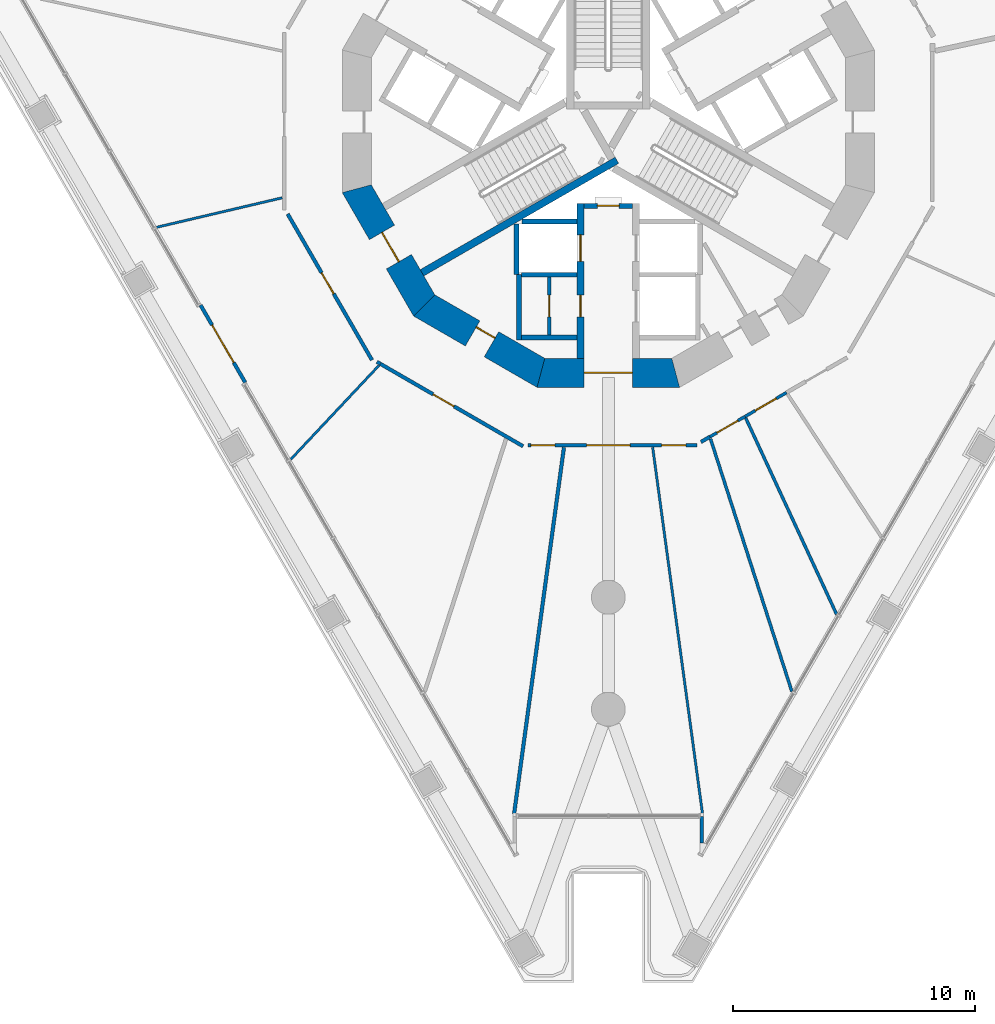
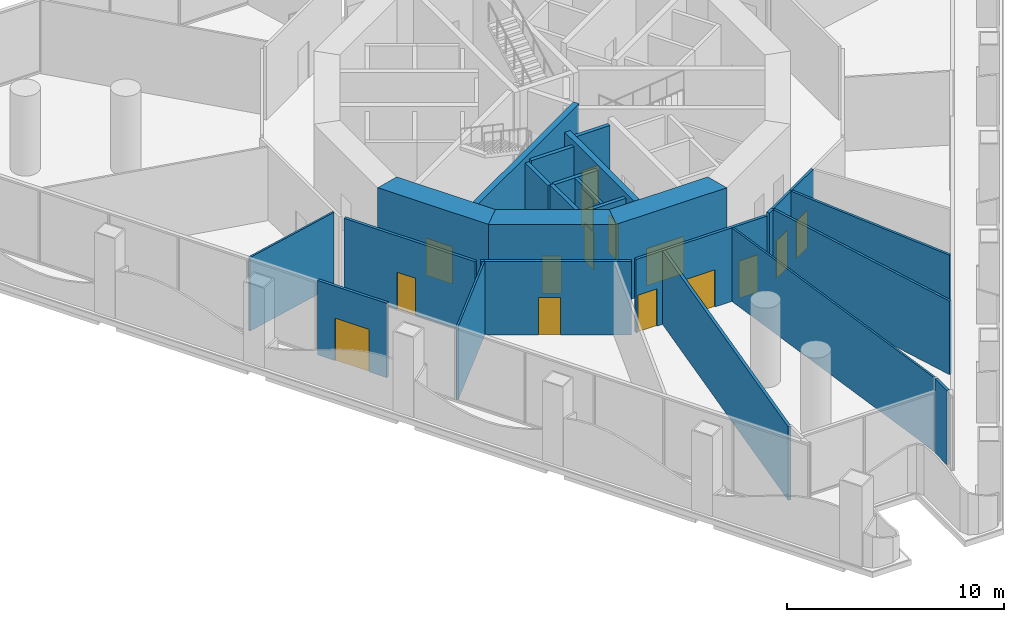
# One storey, part 10 of 21: 27 walls, 15 doors, 15 openings.
"""IFC4 building model written with IfcOpenShell, lengths in metres."""

from ifc_helpers import new_model, si_unit, direction, frame, frame_2d, origin, place, context, subcontext, project, spatial, polyline, rectangle, outline, extrude, material, layer, layer_set, type_object, element, fill, save


model = new_model("IFC4")

# Units and contexts
model_context = context("Model", 3, precision=1e-05, world=origin(), true_north=direction((0.0, 1.0)))
body_context = subcontext(model_context, "Body", "Model", "MODEL_VIEW")
ifc_project = project(units=[si_unit("LENGTHUNIT", "METRE"), si_unit("AREAUNIT", "SQUARE_METRE"), si_unit("VOLUMEUNIT", "CUBIC_METRE"), si_unit("PLANEANGLEUNIT", "RADIAN"), si_unit("MASSUNIT", "GRAM", prefix="KILO")], contexts=[model_context])

# Site, building, storey
site_placement = place(None, origin())
site = spatial("IfcSite", under=ifc_project, at=site_placement, CompositionType="ELEMENT")
building_placement = place(site_placement, origin())
building = spatial("IfcBuilding", under=site, at=building_placement, Name="Trine Commons Tower", CompositionType="ELEMENT")
storey_placement = place(building_placement, frame((0.0, 0.0, 27.0)))
storey = spatial("IfcBuildingStorey", under=building, at=storey_placement, Name="L05", CompositionType="ELEMENT", Elevation=27.0)

# Wall, opening, door
ifc_material_1 = material(Name="Plasterboard on steel stud", Category="steel")
ifc_layer_1 = layer(ifc_material_1, 0.14990234375)
ifc_layer_set_1 = layer_set([ifc_layer_1], Name="Plasterboard on steel stud")
wall_type_1 = type_object("IfcWallType", Name="Compartment wall 150 mm, EI 60", PredefinedType="PARTITIONING", material=ifc_layer_set_1)
wall_1_placement = place(storey_placement, frame((70.219482421875, 52.6171875, 0.0), z_axis=(0.0, 0.0, 1.0), x_axis=(-0.49997871953, 0.866037689721, 0.0)))
wall_1 = element("IfcWall", 1, at=wall_1_placement, inside=storey, type_object=wall_type_1, Name="Partition P5005", PredefinedType="PARTITIONING", context=body_context, shape_type="SweptSolid", body=[
    extrude(rectangle(XDim=6.982177734375, YDim=0.14990234375, at=frame_2d((3.4912109375, 0.0))), origin(), (0.0, 0.0, 1.0), 4.14990234375),
])
opening_1_placement = place(wall_1_placement, frame((3.168701171875, 0.0, 0.0)))
opening_1 = element("IfcOpeningElement", 2, at=opening_1_placement, cuts=wall_1, Name="Opening D-P502", PredefinedType="OPENING", context=body_context, shape_type="SweptSolid", body=[
    extrude(rectangle(XDim=1.0, YDim=2.10009765625, at=frame_2d((0.5, 1.050048828125))), frame((0.0, 0.0849609375, 0.0), z_axis=(0.0, -1.0, 0.0), x_axis=(1.0, 0.0, 0.0)), (0.0, 0.0, 1.0), 0.169921875),
])
ifc_material_2 = material(Name="Timber fire door set", Category="wood")
door_type_1 = type_object("IfcDoorType", Name="Single swing door 1000x2100, FD30S", OperationType="SINGLE_SWING_LEFT", PredefinedType="DOOR", material=ifc_material_2)
door_1_placement = place(opening_1_placement, origin())
door_1 = element("IfcDoor", 3, at=door_1_placement, inside=storey, type_object=door_type_1, Name="Door D-P502", OperationType="SINGLE_SWING_LEFT", OverallHeight=2.10009765625, OverallWidth=1.0, PredefinedType="DOOR", context=body_context, shape_type="SweptSolid", body=[
    extrude(rectangle(XDim=1.0, YDim=2.10009765625, at=frame_2d((0.5, 1.050048828125))), frame((0.0, 0.02490234375, 0.0), z_axis=(0.0, -1.0, 0.0), x_axis=(1.0, 0.0, 0.0)), (0.0, 0.0, 1.0), 0.050048828125),
])
fill(opening_1, door_1)

# Wall
wall_2_placement = place(storey_placement, frame((70.424560546875, 52.5419921875, 0.0), z_axis=(0.0, 0.0, 1.0), x_axis=(0.866286070807, -0.499548239438, 0.0)))
element("IfcWall", 4, at=wall_2_placement, inside=storey, type_object=wall_type_1, Name="Partition P5008", PredefinedType="PARTITIONING", context=body_context, shape_type="SweptSolid", body=[
    extrude(rectangle(XDim=0.161865234375, YDim=0.14990234375, at=frame_2d((0.0810546875, 0.0))), origin(), (0.0, 0.0, 1.0), 4.14990234375),
])

# Wall, opening, door
wall_3_placement = place(storey_placement, frame((76.471435546875, 49.051025390625, 0.0), z_axis=(0.0, 0.0, 1.0), x_axis=(-0.866028115054, 0.499995303914, 0.0)))
wall_3 = element("IfcWall", 5, at=wall_3_placement, inside=storey, type_object=wall_type_1, Name="Partition P5010", PredefinedType="PARTITIONING", context=body_context, shape_type="SweptSolid", body=[
    extrude(rectangle(XDim=6.81591796875, YDim=0.14990234375, at=frame_2d((3.407958984375, 0.0))), origin(), (0.0, 0.0, 1.0), 4.14990234375),
])
opening_2_placement = place(wall_3_placement, frame((3.297607421875, 0.0, 0.0)))
opening_2 = element("IfcOpeningElement", 6, at=opening_2_placement, cuts=wall_3, Name="Opening D-P505", PredefinedType="OPENING", context=body_context, shape_type="SweptSolid", body=[
    extrude(rectangle(XDim=1.0, YDim=2.10009765625, at=frame_2d((0.5, 1.050048828125))), frame((0.0, 0.0849609375, 0.0), z_axis=(0.0, -1.0, 0.0), x_axis=(1.0, 0.0, 0.0)), (0.0, 0.0, 1.0), 0.169921875),
])
door_2_placement = place(opening_2_placement, origin())
door_2 = element("IfcDoor", 7, at=door_2_placement, inside=storey, type_object=door_type_1, Name="Door D-P505", OperationType="SINGLE_SWING_LEFT", OverallHeight=2.10009765625, OverallWidth=1.0, PredefinedType="DOOR", context=body_context, shape_type="SweptSolid", body=[
    extrude(rectangle(XDim=1.0, YDim=2.10009765625, at=frame_2d((0.5, 1.050048828125))), frame((0.0, 0.02490234375, 0.0), z_axis=(0.0, -1.0, 0.0), x_axis=(1.0, 0.0, 0.0)), (0.0, 0.0, 1.0), 0.050048828125),
])
fill(opening_2, door_2)

# Wall
wall_4_placement = place(storey_placement, frame((76.10009765625, 33.830810546875, 0.0), z_axis=(0.0, 0.0, 1.0), x_axis=(0.134790888715, 0.990874066832, 0.0)))
element("IfcWall", 8, at=wall_4_placement, inside=storey, type_object=wall_type_1, Name="Partition P5013", PredefinedType="PARTITIONING", context=body_context, shape_type="SweptSolid", body=[
    extrude(rectangle(XDim=15.312255859375, YDim=0.14990234375, at=frame_2d((7.65625, 0.0))), origin(), (0.0, 0.0, 1.0), 4.14990234375),
])

# Wall, openings, doors
wall_5_placement = place(storey_placement, frame((83.668701171875, 49.08837890625, 0.0), z_axis=(0.0, 0.0, 1.0), x_axis=(-1.0, 0.0, 0.0)))
wall_5 = element("IfcWall", 9, at=wall_5_placement, inside=storey, type_object=wall_type_1, Name="Partition P5014", PredefinedType="PARTITIONING", context=body_context, shape_type="SweptSolid", body=[
    extrude(rectangle(XDim=6.982421875, YDim=0.14990234375, at=frame_2d((3.4912109375, 0.0))), origin(), (0.0, 0.0, 1.0), 4.14990234375),
])
opening_3_placement = place(wall_5_placement, frame((5.87744140625, 0.0, 0.0)))
opening_3 = element("IfcOpeningElement", 10, at=opening_3_placement, cuts=wall_5, Name="Opening D-P506", PredefinedType="OPENING", context=body_context, shape_type="SweptSolid", body=[
    extrude(rectangle(XDim=1.0, YDim=2.10009765625, at=frame_2d((0.5, 1.050048828125))), frame((0.0, 0.0849609375, 0.0), z_axis=(0.0, -1.0, 0.0), x_axis=(1.0, 0.0, 0.0)), (0.0, 0.0, 1.0), 0.169921875),
])
opening_4_placement = place(wall_5_placement, frame((2.7685546875, 0.0, 0.0)))
opening_4 = element("IfcOpeningElement", 11, at=opening_4_placement, cuts=wall_5, Name="Opening D-P507", PredefinedType="OPENING", context=body_context, shape_type="SweptSolid", body=[
    extrude(rectangle(XDim=1.800048828125, YDim=2.10009765625, at=frame_2d((0.89990234375, 1.050048828125))), frame((0.0, 0.0849609375, 0.0), z_axis=(0.0, -1.0, 0.0), x_axis=(1.0, 0.0, 0.0)), (0.0, 0.0, 1.0), 0.169921875),
])
opening_5_placement = place(wall_5_placement, frame((0.459716796875, 0.0, 0.0)))
opening_5 = element("IfcOpeningElement", 12, at=opening_5_placement, cuts=wall_5, Name="Opening D-P508", PredefinedType="OPENING", context=body_context, shape_type="SweptSolid", body=[
    extrude(rectangle(XDim=1.0, YDim=2.10009765625, at=frame_2d((0.5, 1.050048828125))), frame((0.0, 0.0849609375, 0.0), z_axis=(0.0, -1.0, 0.0), x_axis=(1.0, 0.0, 0.0)), (0.0, 0.0, 1.0), 0.169921875),
])
door_type_2 = type_object("IfcDoorType", Name="Double swing door 1800x2100, FD30S", OperationType="DOUBLE_DOOR_DOUBLE_SWING", PredefinedType="DOOR", material=ifc_material_2)
door_3_placement = place(opening_4_placement, origin())
door_3 = element("IfcDoor", 13, at=door_3_placement, inside=storey, type_object=door_type_2, Name="Door D-P507", OperationType="DOUBLE_DOOR_DOUBLE_SWING", OverallHeight=2.10009765625, OverallWidth=1.800048828125, PredefinedType="DOOR", context=body_context, shape_type="SweptSolid", body=[
    extrude(rectangle(XDim=1.800048828125, YDim=2.10009765625, at=frame_2d((0.89990234375, 1.050048828125))), frame((0.0, 0.02490234375, 0.0), z_axis=(0.0, -1.0, 0.0), x_axis=(1.0, 0.0, 0.0)), (0.0, 0.0, 1.0), 0.050048828125),
])
fill(opening_4, door_3)
door_4_placement = place(opening_3_placement, origin())
door_4 = element("IfcDoor", 14, at=door_4_placement, inside=storey, type_object=door_type_1, Name="Door D-P506", OperationType="SINGLE_SWING_LEFT", OverallHeight=2.10009765625, OverallWidth=1.0, PredefinedType="DOOR", context=body_context, shape_type="SweptSolid", body=[
    extrude(rectangle(XDim=1.0, YDim=2.10009765625, at=frame_2d((0.5, 1.050048828125))), frame((0.0, 0.02490234375, 0.0), z_axis=(0.0, -1.0, 0.0), x_axis=(1.0, 0.0, 0.0)), (0.0, 0.0, 1.0), 0.050048828125),
])
fill(opening_3, door_4)
door_5_placement = place(opening_5_placement, origin())
door_5 = element("IfcDoor", 15, at=door_5_placement, inside=storey, type_object=door_type_1, Name="Door D-P508", OperationType="SINGLE_SWING_LEFT", OverallHeight=2.10009765625, OverallWidth=1.0, PredefinedType="DOOR", context=body_context, shape_type="SweptSolid", body=[
    extrude(rectangle(XDim=1.0, YDim=2.10009765625, at=frame_2d((0.5, 1.050048828125))), frame((0.0, 0.02490234375, 0.0), z_axis=(0.0, -1.0, 0.0), x_axis=(1.0, 0.0, 0.0)), (0.0, 0.0, 1.0), 0.050048828125),
])
fill(opening_5, door_5)

# Wall
wall_6_placement = place(storey_placement, frame((83.8359375, 49.228515625, 0.0), z_axis=(0.0, 0.0, 1.0), x_axis=(0.866042039906, 0.499971184285, 0.0)))
element("IfcWall", 16, at=wall_6_placement, inside=storey, type_object=wall_type_1, Name="Partition P5018", PredefinedType="PARTITIONING", context=body_context, shape_type="SweptSolid", body=[
    extrude(rectangle(XDim=0.4248046875, YDim=0.14990234375, at=frame_2d((0.21240234375, 0.0))), origin(), (0.0, 0.0, 1.0), 4.14990234375),
])

# Wall, opening, door
ifc_material_3 = material(Name="Plasterboard partition on steel studs", Category="steel")
ifc_layer_2 = layer(ifc_material_3, 0.14990234375)
ifc_layer_set_2 = layer_set([ifc_layer_2], Name="Plasterboard partition on steel studs")
wall_type_2 = type_object("IfcWallType", Name="Core room partition 150 mm, EI 60", PredefinedType="PARTITIONING", material=ifc_layer_set_2)
wall_7_placement = place(storey_placement, frame((77.550048828125, 56.050048828125, 0.0), z_axis=(0.0, 0.0, 1.0), x_axis=(0.0, -1.0, 0.0)))
wall_7 = element("IfcWall", 17, at=wall_7_placement, inside=storey, type_object=wall_type_2, Name="Core room partition L05", PredefinedType="PARTITIONING", context=body_context, shape_type="SweptSolid", body=[
    extrude(rectangle(XDim=2.400146484375, YDim=0.14990234375, at=frame_2d((1.2001953125, 0.0))), origin(), (0.0, 0.0, 1.0), 4.199951171875),
])
opening_6_placement = place(wall_7_placement, frame((0.75, 0.0, 0.0)))
opening_6 = element("IfcOpeningElement", 18, at=opening_6_placement, cuts=wall_7, Name="Opening K04.11", PredefinedType="OPENING", context=body_context, shape_type="SweptSolid", body=[
    extrude(rectangle(XDim=0.89990234375, YDim=2.10009765625, at=frame_2d((0.449951171875, 1.050048828125))), frame((0.0, 0.0849609375, 0.0), z_axis=(0.0, -1.0, 0.0), x_axis=(1.0, 0.0, 0.0)), (0.0, 0.0, 1.0), 0.169921875),
])
ifc_material_4 = material(Name="Steel door leaf, fire-rated", Category="steel")
door_type_3 = type_object("IfcDoorType", Name="Core room door, single leaf 900 x 2100, FD30S", OperationType="SINGLE_SWING_LEFT", PredefinedType="DOOR", material=ifc_material_4)
door_6_placement = place(opening_6_placement, frame((0.89990234375, 0.0, 0.0), z_axis=(0.0, 0.0, 1.0), x_axis=(-1.0, 0.0, 0.0)))
door_6 = element("IfcDoor", 19, at=door_6_placement, inside=storey, type_object=door_type_3, Name="Door to Parcel store L05", OperationType="SINGLE_SWING_LEFT", OverallHeight=2.10009765625, OverallWidth=0.89990234375, PredefinedType="DOOR", context=body_context, shape_type="SweptSolid", body=[
    extrude(rectangle(XDim=0.89990234375, YDim=2.10009765625, at=frame_2d((0.449951171875, 1.050048828125))), frame((0.0, 0.02490234375, 0.0), z_axis=(0.0, -1.0, 0.0), x_axis=(1.0, 0.0, 0.0)), (0.0, 0.0, 1.0), 0.050048828125),
])
fill(opening_6, door_6)

ifc_material_5 = material(Name="Aluminium-framed insulated wall panel", Category="aluminium")
ifc_layer_3 = layer(ifc_material_5, 0.14990234375)
ifc_layer_set_3 = layer_set([ifc_layer_3], Name="Aluminium-framed insulated wall panel")
wall_type_3 = type_object("IfcWallType", Name="Glazed entrance wall 150, EI 60", PredefinedType="SOLIDWALL", material=ifc_layer_set_3)
wall_8_placement = place(storey_placement, frame((64.972900390625, 51.688232421875, 0.0), z_axis=(0.0, 0.0, 1.0), x_axis=(-0.499979560991, 0.86603720393, 0.0)))
wall_8 = element("IfcWall", 20, at=wall_8_placement, inside=storey, type_object=wall_type_3, Name="Glazed entrance wall L05 F3 7", PredefinedType="SOLIDWALL", context=body_context, shape_type="SweptSolid", body=[
    extrude(rectangle(XDim=3.698974609375, YDim=0.14990234375, at=frame_2d((1.849609375, 0.0))), origin(), (0.0, 0.0, 1.0), 4.199951171875),
])
opening_7_placement = place(wall_8_placement, frame((0.949462890625, 0.0, 0.0)))
opening_7 = element("IfcOpeningElement", 21, at=opening_7_placement, cuts=wall_8, Name="Opening SD-L05-F3-07", PredefinedType="OPENING", context=body_context, shape_type="SweptSolid", body=[
    extrude(rectangle(XDim=1.800048828125, YDim=2.39990234375, at=frame_2d((0.89990234375, 1.199951171875))), frame((0.0, 0.0849609375, 0.0), z_axis=(0.0, -1.0, 0.0), x_axis=(1.0, 0.0, 0.0)), (0.0, 0.0, 1.0), 0.169921875),
])
ifc_material_6 = material(Name="Anodised aluminium frame with double glazing", Category="aluminium")
door_type_4 = type_object("IfcDoorType", Name="Sliding double door 1800x2400", OperationType="DOUBLE_DOOR_SLIDING", PredefinedType="DOOR", material=ifc_material_6)
door_7_placement = place(opening_7_placement, origin())
door_7 = element("IfcDoor", 22, at=door_7_placement, inside=storey, type_object=door_type_4, Name="Loggia door L05 F3 7", OperationType="DOUBLE_DOOR_SLIDING", OverallHeight=2.39990234375, OverallWidth=1.800048828125, PredefinedType="DOOR", context=body_context, shape_type="SweptSolid", body=[
    extrude(rectangle(XDim=1.800048828125, YDim=2.39990234375, at=frame_2d((0.89990234375, 1.199951171875))), frame((0.0, 0.02490234375, 0.0), z_axis=(0.0, -1.0, 0.0), x_axis=(1.0, 0.0, 0.0)), (0.0, 0.0, 1.0), 0.050048828125),
])
fill(opening_7, door_7)

# Wall
ifc_layer_4 = layer(ifc_material_5, 0.14990234375)
ifc_layer_set_4 = layer_set([ifc_layer_4], Name="Aluminium-framed insulated wall panel")
wall_type_4 = type_object("IfcWallType", Name="Glazed frame wall 150, EI 60", PredefinedType="SOLIDWALL", material=ifc_layer_set_4)
wall_9_placement = place(storey_placement, frame((83.864990234375, 32.48583984375, 0.0), z_axis=(0.0, 0.0, 1.0), x_axis=(0.0, 1.0, 0.0)))
element("IfcWall", 23, at=wall_9_placement, inside=storey, type_object=wall_type_4, Name="Glazed frame wall L05 R9", PredefinedType="SOLIDWALL", context=body_context, shape_type="SweptSolid", body=[
    extrude(outline(polyline([(0.1494140625, 0.074951171875), (0.1494140625, -0.074951171875), (1.235107421875, -0.074951171875), (1.235107421875, 0.074951171875), (0.1494140625, 0.074951171875)])), origin(), (0.0, 0.0, 1.0), 4.199951171875),
])

# Wall, opening, door
ifc_material_7 = material(Name="Fire-rated gypsum shaft wall system")
ifc_layer_5 = layer(ifc_material_7, 0.199951171875)
ifc_layer_set_5 = layer_set([ifc_layer_5], Name="Fire-rated gypsum shaft wall system")
wall_type_5 = type_object("IfcWallType", Name="Lobby end wall 200 mm, EI 120", PredefinedType="PARTITIONING", material=ifc_layer_set_5)
wall_10_placement = place(storey_placement, frame((79.0, 59.0, 0.0), z_axis=(0.0, 0.0, 1.0), x_axis=(1.0, 0.0, 0.0)))
wall_10 = element("IfcWall", 24, at=wall_10_placement, inside=storey, type_object=wall_type_5, Name="Lobby end wall L05", PredefinedType="PARTITIONING", context=body_context, shape_type="SweptSolid", body=[
    extrude(rectangle(XDim=2.0, YDim=0.199951171875, at=frame_2d((1.0, 0.0))), origin(), (0.0, 0.0, 1.0), 4.199951171875),
])
opening_8_placement = place(wall_10_placement, frame((0.550048828125, 0.0, 0.0)))
opening_8 = element("IfcOpeningElement", 25, at=opening_8_placement, cuts=wall_10, Name="Opening K04.09", PredefinedType="OPENING", context=body_context, shape_type="SweptSolid", body=[
    extrude(rectangle(XDim=0.89990234375, YDim=2.10009765625, at=frame_2d((0.449951171875, 1.050048828125))), frame((0.0, 0.10986328125, 0.0), z_axis=(0.0, -1.0, 0.0), x_axis=(1.0, 0.0, 0.0)), (0.0, 0.0, 1.0), 0.219970703125),
])
door_type_5 = type_object("IfcDoorType", Name="Riser access door, single leaf 900 x 2100, FD60", OperationType="SINGLE_SWING_LEFT", PredefinedType="DOOR", material=ifc_material_4)
door_8_placement = place(opening_8_placement, frame((0.89990234375, 0.0, 0.0), z_axis=(0.0, 0.0, 1.0), x_axis=(-1.0, 0.0, 0.0)))
door_8 = element("IfcDoor", 26, at=door_8_placement, inside=storey, type_object=door_type_5, Name="Riser door, Communications riser L05", OperationType="SINGLE_SWING_RIGHT", OverallHeight=2.10009765625, OverallWidth=0.89990234375, PredefinedType="DOOR", context=body_context, shape_type="SweptSolid", body=[
    extrude(rectangle(XDim=0.89990234375, YDim=2.10009765625, at=frame_2d((0.449951171875, 1.050048828125))), frame((0.0, 0.02490234375, 0.0), z_axis=(0.0, -1.0, 0.0), x_axis=(1.0, 0.0, 0.0)), (0.0, 0.0, 1.0), 0.050048828125),
])
fill(opening_8, door_8)

# Walls
ifc_layer_6 = layer(ifc_material_1, 0.10009765625)
ifc_layer_set_6 = layer_set([ifc_layer_6], Name="Plasterboard on steel stud")
wall_type_6 = type_object("IfcWallType", Name="Partition wall 100 mm stud, not rated", PredefinedType="PARTITIONING", material=ifc_layer_set_6)
wall_11_placement = place(storey_placement, frame((61.304443359375, 58.112548828125, 0.0), z_axis=(0.0, 0.0, 1.0), x_axis=(0.973551342876, 0.228468340881, 0.0)))
element("IfcWall", 27, at=wall_11_placement, inside=storey, type_object=wall_type_6, Name="Partition P5002", PredefinedType="PARTITIONING", context=body_context, shape_type="SweptSolid", body=[
    extrude(rectangle(XDim=5.338623046875, YDim=0.10009765625, at=frame_2d((2.66943359375, 0.0))), origin(), (0.0, 0.0, 1.0), 4.14990234375),
])
wall_12_placement = place(storey_placement, frame((66.852783203125, 48.50244140625, 0.0), z_axis=(0.0, 0.0, 1.0), x_axis=(0.684628350016, 0.728892325625, 0.0)))
element("IfcWall", 28, at=wall_12_placement, inside=storey, type_object=wall_type_6, Name="Partition P5007", PredefinedType="PARTITIONING", context=body_context, shape_type="SweptSolid", body=[
    extrude(rectangle(XDim=5.339111328125, YDim=0.10009765625, at=frame_2d((2.66943359375, 0.0))), origin(), (0.0, 0.0, 1.0), 4.14990234375),
])
wall_13_placement = place(storey_placement, frame((81.83544921875, 49.006591796875, 0.0), z_axis=(0.0, 0.0, 1.0), x_axis=(0.13479451319, -0.990873573779, 0.0)))
element("IfcWall", 29, at=wall_13_placement, inside=storey, type_object=wall_type_6, Name="Partition P5017", PredefinedType="PARTITIONING", context=body_context, shape_type="SweptSolid", body=[
    extrude(rectangle(XDim=15.315673828125, YDim=0.10009765625, at=frame_2d((7.65771484375, 0.0))), origin(), (0.0, 0.0, 1.0), 4.14990234375),
])

# Wall, opening, door
ifc_material_8 = material(Name="Concrete C80/95", Category="concrete")
ifc_layer_7 = layer(ifc_material_8, 1.199951171875)
ifc_layer_set_7 = layer_set([ifc_layer_7], Name="Concrete C80/95")
wall_type_7 = type_object("IfcWallType", Name="RC shear wall 1200 mm, C80/95", PredefinedType="SHEAR", material=ifc_layer_set_7)
wall_14_placement = place(storey_placement, frame((69.508056640625, 59.849609375, 0.0), z_axis=(0.0, 0.0, 1.0), x_axis=(0.499979111662, -0.866037463336, 0.0)))
wall_14 = element("IfcWall", 30, at=wall_14_placement, inside=storey, type_object=wall_type_7, Name="Core wall CWA-08 L05", PredefinedType="SHEAR", context=body_context, shape_type="SweptSolid", body=[
    extrude(outline(polyline([(0.0, -0.60009765625), (5.901123046875, -0.60009765625), (5.57958984375, 0.60009765625), (0.321533203125, 0.60009765625), (0.0, -0.60009765625)])), origin(), (0.0, 0.0, 1.0), 4.5),
])
opening_9_placement = place(wall_14_placement, frame((2.25048828125, 0.0, 0.0)))
opening_9 = element("IfcOpeningElement", 31, at=opening_9_placement, cuts=wall_14, Name="Opening K04.02", PredefinedType="OPENING", context=body_context, shape_type="SweptSolid", body=[
    extrude(rectangle(XDim=1.39990234375, YDim=2.10009765625, at=frame_2d((0.699951171875, 1.050048828125))), frame((0.0, 0.60986328125, 0.0), z_axis=(0.0, -1.0, 0.0), x_axis=(1.0, 0.0, 0.0)), (0.0, 0.0, 1.0), 1.219970703125),
])
ifc_material_9 = material(Name="Steel door leaves, fire-rated", Category="steel")
door_type_6 = type_object("IfcDoorType", Name="Stair door, double leaf 1400 x 2100, FD90", OperationType="DOUBLE_DOOR_SINGLE_SWING", PredefinedType="DOOR", material=ifc_material_9)
door_9_placement = place(opening_9_placement, origin())
door_9 = element("IfcDoor", 32, at=door_9_placement, inside=storey, type_object=door_type_6, Name="Stair door to Exit stair ST2A L05", OperationType="DOUBLE_DOOR_SINGLE_SWING", OverallHeight=2.10009765625, OverallWidth=1.39990234375, PredefinedType="DOOR", context=body_context, shape_type="SweptSolid", body=[
    extrude(rectangle(XDim=1.39990234375, YDim=2.10009765625, at=frame_2d((0.699951171875, 1.050048828125))), frame((0.0, 0.02490234375, 0.0), z_axis=(0.0, -1.0, 0.0), x_axis=(1.0, 0.0, 0.0)), (0.0, 0.0, 1.0), 0.050048828125),
])
fill(opening_9, door_9)

wall_15_placement = place(storey_placement, frame((72.239013671875, 54.95849609375, 0.0), z_axis=(0.0, 0.0, 1.0), x_axis=(0.866037463336, -0.499979111662, 0.0)))
wall_15 = element("IfcWall", 33, at=wall_15_placement, inside=storey, type_object=wall_type_7, Name="Core wall CWA-09 L05", PredefinedType="SHEAR", context=body_context, shape_type="SweptSolid", body=[
    extrude(outline(polyline([(0.0, -0.60009765625), (5.901123046875, -0.60009765625), (5.57958984375, 0.60009765625), (0.321533203125, 0.60009765625), (0.0, -0.60009765625)])), origin(), (0.0, 0.0, 1.0), 4.5),
])
opening_10_placement = place(wall_15_placement, frame((2.4765625, 0.0, 0.0)))
opening_10 = element("IfcOpeningElement", 34, at=opening_10_placement, cuts=wall_15, Name="Opening K04.15", PredefinedType="OPENING", context=body_context, shape_type="SweptSolid", body=[
    extrude(rectangle(XDim=0.89990234375, YDim=2.10009765625, at=frame_2d((0.449951171875, 1.050048828125))), frame((0.0, 0.60986328125, 0.0), z_axis=(0.0, -1.0, 0.0), x_axis=(1.0, 0.0, 0.0)), (0.0, 0.0, 1.0), 1.219970703125),
])
door_10_placement = place(opening_10_placement, origin())
door_10 = element("IfcDoor", 35, at=door_10_placement, inside=storey, type_object=door_type_3, Name="Door to Cleaner's store L05", OperationType="SINGLE_SWING_LEFT", OverallHeight=2.10009765625, OverallWidth=0.89990234375, PredefinedType="DOOR", context=body_context, shape_type="SweptSolid", body=[
    extrude(rectangle(XDim=0.89990234375, YDim=2.10009765625, at=frame_2d((0.449951171875, 1.050048828125))), frame((0.0, 0.3251953125, 0.0), z_axis=(0.0, -1.0, 0.0), x_axis=(1.0, 0.0, 0.0)), (0.0, 0.0, 1.0), 0.050048828125),
])
fill(opening_10, door_10)

wall_16_placement = place(storey_placement, frame((77.049560546875, 52.08837890625, 0.0), z_axis=(0.0, 0.0, 1.0), x_axis=(1.0, 0.0, 0.0)))
wall_16 = element("IfcWall", 36, at=wall_16_placement, inside=storey, type_object=wall_type_7, Name="Core wall CWA-10 L05", PredefinedType="SHEAR", context=body_context, shape_type="SweptSolid", body=[
    extrude(outline(polyline([(0.0, -0.60009765625), (5.90087890625, -0.60009765625), (5.57958984375, 0.60009765625), (0.321533203125, 0.60009765625), (0.0, -0.60009765625)])), origin(), (0.0, 0.0, 1.0), 4.5),
])
opening_11_placement = place(wall_16_placement, frame((1.950439453125, 0.0, 0.0)))
opening_11 = element("IfcOpeningElement", 37, at=opening_11_placement, cuts=wall_16, Name="Opening K04.08", PredefinedType="OPENING", context=body_context, shape_type="SweptSolid", body=[
    extrude(rectangle(XDim=2.0, YDim=2.10009765625, at=frame_2d((1.0, 1.050048828125))), frame((0.0, 0.60986328125, 0.0), z_axis=(0.0, -1.0, 0.0), x_axis=(1.0, 0.0, 0.0)), (0.0, 0.0, 1.0), 1.219970703125),
])
door_type_7 = type_object("IfcDoorType", Name="Lobby door, double leaf 2000 x 2100, FD60", OperationType="DOUBLE_DOOR_SINGLE_SWING", PredefinedType="DOOR", material=ifc_material_9)
door_11_placement = place(opening_11_placement, origin())
door_11 = element("IfcDoor", 38, at=door_11_placement, inside=storey, type_object=door_type_7, Name="Lobby door, Service and firefighting lobby L05", OperationType="DOUBLE_DOOR_SINGLE_SWING", OverallHeight=2.10009765625, OverallWidth=2.0, PredefinedType="DOOR", context=body_context, shape_type="SweptSolid", body=[
    extrude(rectangle(XDim=2.0, YDim=2.10009765625, at=frame_2d((1.0, 1.050048828125))), frame((0.0, 0.02490234375, 0.0), z_axis=(0.0, -1.0, 0.0), x_axis=(1.0, 0.0, 0.0)), (0.0, 0.0, 1.0), 0.050048828125),
])
fill(opening_11, door_11)

# Wall, openings, doors
ifc_layer_8 = layer(ifc_material_8, 0.300048828125)
ifc_layer_set_8 = layer_set([ifc_layer_8], Name="Concrete C80/95")
wall_type_8 = type_object("IfcWallType", Name="RC shear wall 300 mm, C80/95", PredefinedType="SHEAR", material=ifc_layer_set_8)
wall_17_placement = place(storey_placement, frame((78.85009765625, 59.10009765625, 0.0), z_axis=(0.0, 0.0, 1.0), x_axis=(0.0, -1.0, 0.0)))
wall_17 = element("IfcWall", 39, at=wall_17_placement, inside=storey, type_object=wall_type_8, Name="Core cross wall SWA-03 L05", PredefinedType="SHEAR", context=body_context, shape_type="SweptSolid", body=[
    extrude(rectangle(XDim=6.412109375, YDim=0.300048828125, at=frame_2d((3.2060546875, 0.0))), origin(), (0.0, 0.0, 1.0), 4.5),
])
opening_12_placement = place(wall_17_placement, frame((3.800048828125, 0.0, 0.0)))
opening_12 = element("IfcOpeningElement", 40, at=opening_12_placement, cuts=wall_17, Name="Opening K04.10", PredefinedType="OPENING", context=body_context, shape_type="SweptSolid", body=[
    extrude(rectangle(XDim=0.89990234375, YDim=2.10009765625, at=frame_2d((0.449951171875, 1.050048828125))), frame((0.0, 0.159912109375, 0.0), z_axis=(0.0, -1.0, 0.0), x_axis=(1.0, 0.0, 0.0)), (0.0, 0.0, 1.0), 0.320068359375),
])
opening_13_placement = place(wall_17_placement, frame((1.300048828125, 0.0, 0.0)))
opening_13 = element("IfcOpeningElement", 41, at=opening_13_placement, cuts=wall_17, Name="Opening LD10", PredefinedType="OPENING", context=body_context, shape_type="SweptSolid", body=[
    extrude(rectangle(XDim=1.10009765625, YDim=2.10009765625, at=frame_2d((0.550048828125, 1.050048828125))), frame((0.0, 0.159912109375, 0.0), z_axis=(0.0, -1.0, 0.0), x_axis=(1.0, 0.0, 0.0)), (0.0, 0.0, 1.0), 0.320068359375),
])
door_12_placement = place(opening_12_placement, frame((0.89990234375, 0.0, 0.0), z_axis=(0.0, 0.0, 1.0), x_axis=(-1.0, 0.0, 0.0)))
door_12 = element("IfcDoor", 42, at=door_12_placement, inside=storey, type_object=door_type_3, Name="Door to Comms room L05", OperationType="SINGLE_SWING_RIGHT", OverallHeight=2.10009765625, OverallWidth=0.89990234375, PredefinedType="DOOR", context=body_context, shape_type="SweptSolid", body=[
    extrude(rectangle(XDim=0.89990234375, YDim=2.10009765625, at=frame_2d((0.449951171875, 1.050048828125))), frame((0.0, 0.02490234375, 0.0), z_axis=(0.0, -1.0, 0.0), x_axis=(1.0, 0.0, 0.0)), (0.0, 0.0, 1.0), 0.050048828125),
])
fill(opening_12, door_12)
ifc_material_10 = material(Name="Stainless steel sliding door leaves", Category="steel")
door_type_8 = type_object("IfcDoorType", Name="Lift landing door, centre-opening sliding 1100 x 2100, FD90", OperationType="DOUBLE_DOOR_SLIDING", PredefinedType="DOOR", material=ifc_material_10)
door_13_placement = place(opening_13_placement, origin())
door_13 = element("IfcDoor", 43, at=door_13_placement, inside=storey, type_object=door_type_8, Name="Lift landing door FF2 L05", OperationType="DOUBLE_DOOR_SLIDING", OverallHeight=2.10009765625, OverallWidth=1.10009765625, PredefinedType="DOOR", context=body_context, shape_type="SweptSolid", body=[
    extrude(rectangle(XDim=1.10009765625, YDim=2.10009765625, at=frame_2d((0.550048828125, 1.050048828125))), frame((0.0, 0.02490234375, 0.0), z_axis=(0.0, -1.0, 0.0), x_axis=(1.0, 0.0, 0.0)), (0.0, 0.0, 1.0), 0.050048828125),
])
fill(opening_13, door_13)

# Walls
wall_18_placement = place(storey_placement, frame((80.35400390625, 60.885986328125, 0.0), z_axis=(0.0, 0.0, 1.0), x_axis=(-0.865986456211, -0.50006745311, 0.0)))
element("IfcWall", 44, at=wall_18_placement, inside=storey, type_object=wall_type_8, Name="Core cross wall SWA-14 L05", PredefinedType="SHEAR", context=body_context, shape_type="SweptSolid", body=[
    extrude(rectangle(XDim=9.310791015625, YDim=0.300048828125, at=frame_2d((4.6552734375, 0.0))), origin(), (0.0, 0.0, 1.0), 4.5),
])
ifc_layer_9 = layer(ifc_material_7, 0.199951171875)
ifc_layer_set_9 = layer_set([ifc_layer_9], Name="Fire-rated gypsum shaft wall system")
wall_type_9 = type_object("IfcWallType", Name="Shaft wall 200 mm, EI 120", PredefinedType="PARTITIONING", material=ifc_layer_set_9)
wall_19_placement = place(storey_placement, frame((76.199951171875, 58.256103515625, 0.0), z_axis=(0.0, 0.0, 1.0), x_axis=(0.0, -1.0, 0.0)))
element("IfcWall", 45, at=wall_19_placement, inside=storey, type_object=wall_type_9, Name="Shaft wall L05", PredefinedType="PARTITIONING", context=body_context, shape_type="SweptSolid", body=[
    extrude(rectangle(XDim=2.106201171875, YDim=0.199951171875, at=frame_2d((1.05322265625, 0.0))), origin(), (0.0, 0.0, 1.0), 4.199951171875),
])
wall_20_placement = place(storey_placement, frame((76.300048828125, 56.14990234375, 0.0), z_axis=(0.0, 0.0, 1.0), x_axis=(0.0, -1.0, 0.0)))
element("IfcWall", 46, at=wall_20_placement, inside=storey, type_object=wall_type_9, Name="Shaft wall L05", PredefinedType="PARTITIONING", context=body_context, shape_type="SweptSolid", body=[
    extrude(rectangle(XDim=2.699951171875, YDim=0.199951171875, at=frame_2d((1.35009765625, 0.0))), origin(), (0.0, 0.0, 1.0), 4.199951171875),
])
for number, where, z_axis, x_axis, name in (
    (47, (78.699951171875, 53.550048828125, 0.0), (0.0, 0.0, 1.0), (-1.0, 0.0, 0.0), "Shaft wall L05"),
    (48, (78.699951171875, 56.14990234375, 0.0), (0.0, 0.0, 1.0), (-1.0, 0.0, 0.0), "Shaft wall L05"),
):
    element("IfcWall", number, at=place(storey_placement, frame(where, z_axis=z_axis, x_axis=x_axis)), inside=storey, type_object=wall_type_9, Name=name, PredefinedType="PARTITIONING", context=body_context, shape_type="SweptSolid", body=[
        extrude(rectangle(XDim=2.300048828125, YDim=0.199951171875, at=frame_2d((1.14990234375, 0.0))), origin(), (0.0, 0.0, 1.0), 4.199951171875),
    ])
wall_21_placement = place(storey_placement, frame((78.699951171875, 58.35009765625, 0.0), z_axis=(0.0, 0.0, 1.0), x_axis=(-1.0, 0.0, 0.0)))
element("IfcWall", 49, at=wall_21_placement, inside=storey, type_object=wall_type_9, Name="Shaft wall L05", PredefinedType="PARTITIONING", context=body_context, shape_type="SweptSolid", body=[
    extrude(rectangle(XDim=2.264892578125, YDim=0.199951171875, at=frame_2d((1.13232421875, 0.0))), origin(), (0.0, 0.0, 1.0), 4.199951171875),
])

# Wall, opening, door
ifc_layer_10 = layer(ifc_material_1, 0.125)
ifc_layer_set_10 = layer_set([ifc_layer_10], Name="Plasterboard on steel stud")
wall_type_10 = type_object("IfcWallType", Name="Wet wall 125 mm stud, not rated", PredefinedType="PARTITIONING", material=ifc_layer_set_10)
wall_22_placement = place(storey_placement, frame((85.654296875, 50.2783203125, 0.0), z_axis=(0.0, 0.0, 1.0), x_axis=(-0.866001124973, -0.500042049778, 0.0)))
wall_22 = element("IfcWall", 50, at=wall_22_placement, inside=storey, type_object=wall_type_10, Name="Partition P5020", PredefinedType="PARTITIONING", context=body_context, shape_type="SweptSolid", body=[
    extrude(rectangle(XDim=1.675048828125, YDim=0.125, at=frame_2d((0.83740234375, 0.0))), origin(), (0.0, 0.0, 1.0), 4.14990234375),
])
opening_14_placement = place(wall_22_placement, frame((0.335205078125, 0.0, 0.0)))
opening_14 = element("IfcOpeningElement", 51, at=opening_14_placement, cuts=wall_22, Name="Opening D-P511", PredefinedType="OPENING", context=body_context, shape_type="SweptSolid", body=[
    extrude(rectangle(XDim=1.0, YDim=2.10009765625, at=frame_2d((0.5, 1.050048828125))), frame((0.0, 0.072509765625, 0.0), z_axis=(0.0, -1.0, 0.0), x_axis=(1.0, 0.0, 0.0)), (0.0, 0.0, 1.0), 0.14501953125),
])
ifc_material_11 = material(Name="Painted timber", Category="wood")
door_type_9 = type_object("IfcDoorType", Name="Single swing door 1000x2100, not rated", OperationType="SINGLE_SWING_LEFT", PredefinedType="DOOR", material=ifc_material_11)
door_14_placement = place(opening_14_placement, origin())
door_14 = element("IfcDoor", 52, at=door_14_placement, inside=storey, type_object=door_type_9, Name="Door D-P511", OperationType="SINGLE_SWING_LEFT", OverallHeight=2.10009765625, OverallWidth=1.0, PredefinedType="DOOR", context=body_context, shape_type="SweptSolid", body=[
    extrude(rectangle(XDim=1.0, YDim=2.10009765625, at=frame_2d((0.5, 1.050048828125))), frame((0.0, 0.02490234375, 0.0), z_axis=(0.0, -1.0, 0.0), x_axis=(1.0, 0.0, 0.0)), (0.0, 0.0, 1.0), 0.050048828125),
])
fill(opening_14, door_14)

# Wall
wall_23_placement = place(storey_placement, frame((84.2314453125, 49.35498046875, 0.0), z_axis=(0.0, 0.0, 1.0), x_axis=(0.306408219868, -0.951900206323, 0.0)))
element("IfcWall", 53, at=wall_23_placement, inside=storey, type_object=wall_type_10, Name="Partition P5021", PredefinedType="PARTITIONING", context=body_context, shape_type="SweptSolid", body=[
    extrude(rectangle(XDim=10.99072265625, YDim=0.125, at=frame_2d((5.495361328125, 0.0))), origin(), (0.0, 0.0, 1.0), 4.14990234375),
])

# Wall, opening, door
wall_24_placement = place(storey_placement, frame((87.37548828125, 51.27197265625, 0.0), z_axis=(0.0, 0.0, 1.0), x_axis=(-0.865998980262, -0.50004576409, 0.0)))
wall_24 = element("IfcWall", 54, at=wall_24_placement, inside=storey, type_object=wall_type_10, Name="Partition P5022", PredefinedType="PARTITIONING", context=body_context, shape_type="SweptSolid", body=[
    extrude(rectangle(XDim=1.982666015625, YDim=0.125, at=frame_2d((0.9912109375, 0.0))), origin(), (0.0, 0.0, 1.0), 4.14990234375),
])
opening_15_placement = place(wall_24_placement, frame((0.4912109375, 0.0, 0.0)))
opening_15 = element("IfcOpeningElement", 55, at=opening_15_placement, cuts=wall_24, Name="Opening D-P512", PredefinedType="OPENING", context=body_context, shape_type="SweptSolid", body=[
    extrude(rectangle(XDim=1.0, YDim=2.10009765625, at=frame_2d((0.5, 1.050048828125))), frame((0.0, 0.072509765625, 0.0), z_axis=(0.0, -1.0, 0.0), x_axis=(1.0, 0.0, 0.0)), (0.0, 0.0, 1.0), 0.14501953125),
])
door_15_placement = place(opening_15_placement, origin())
door_15 = element("IfcDoor", 56, at=door_15_placement, inside=storey, type_object=door_type_9, Name="Door D-P512", OperationType="SINGLE_SWING_LEFT", OverallHeight=2.10009765625, OverallWidth=1.0, PredefinedType="DOOR", context=body_context, shape_type="SweptSolid", body=[
    extrude(rectangle(XDim=1.0, YDim=2.10009765625, at=frame_2d((0.5, 1.050048828125))), frame((0.0, 0.02490234375, 0.0), z_axis=(0.0, -1.0, 0.0), x_axis=(1.0, 0.0, 0.0)), (0.0, 0.0, 1.0), 0.050048828125),
])
fill(opening_15, door_15)

# Wall
wall_25_placement = place(storey_placement, frame((85.687255859375, 50.218505859375, 0.0), z_axis=(0.0, 0.0, 1.0), x_axis=(0.420206340301, -0.907428582077, 0.0)))
element("IfcWall", 57, at=wall_25_placement, inside=storey, type_object=wall_type_10, Name="Partition P5023", PredefinedType="PARTITIONING", context=body_context, shape_type="SweptSolid", body=[
    extrude(rectangle(XDim=8.950927734375, YDim=0.125, at=frame_2d((4.4755859375, 0.0))), origin(), (0.0, 0.0, 1.0), 4.14990234375),
])

save(model, "model.ifc")
